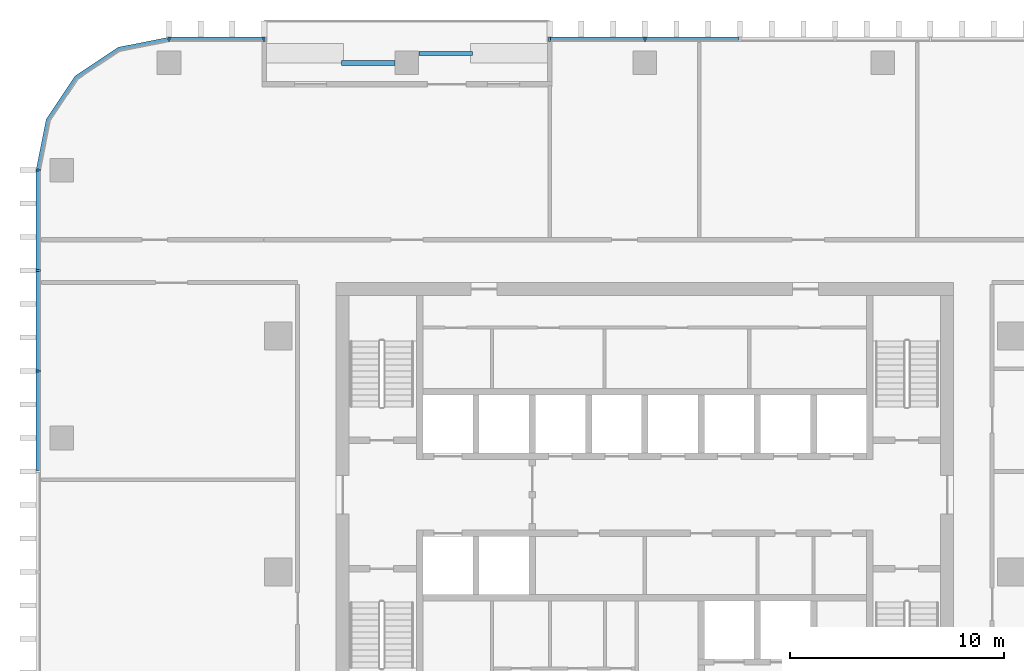
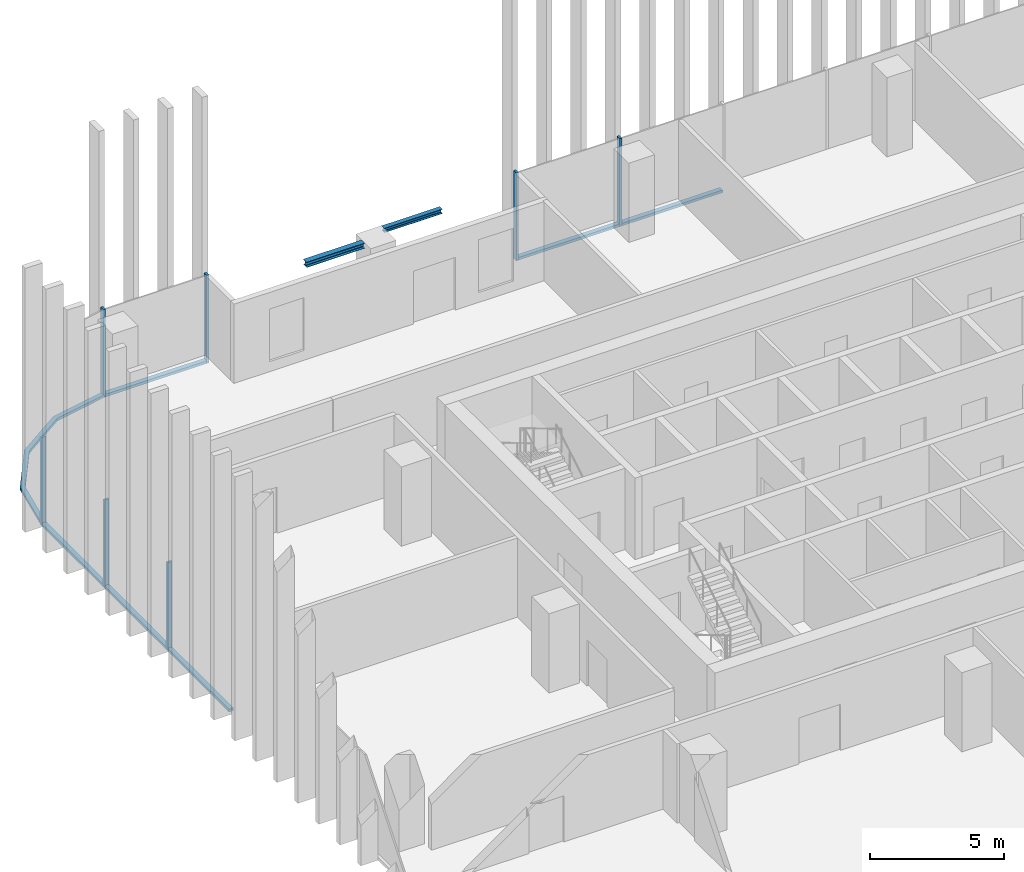
# One storey, part 4 of 15: 14 members, 2 beams, 4 elements without a shape of their own.
"""IFC4 building model written with IfcOpenShell, lengths in metres."""

from ifc_helpers import new_model, si_unit, direction, frame, origin, origin_2d, place, context, subcontext, project, spatial, polyline, rectangle, i_section, outline, extrude, material, material_profile, profile_set, type_object, element, aggregate, save


model = new_model("IFC4")

# Units and contexts
model_context = context("Model", 3, precision=1e-05, world=origin(), true_north=direction((0.0, 1.0)))
body_context = subcontext(model_context, "Body", "Model", "MODEL_VIEW")
ifc_project = project(units=[si_unit("LENGTHUNIT", "METRE"), si_unit("AREAUNIT", "SQUARE_METRE"), si_unit("VOLUMEUNIT", "CUBIC_METRE"), si_unit("PLANEANGLEUNIT", "RADIAN"), si_unit("MASSUNIT", "GRAM", prefix="KILO")], contexts=[model_context])

# Site, building, storey
site_placement = place(None, origin())
site = spatial("IfcSite", under=ifc_project, at=site_placement, CompositionType="ELEMENT")
building_placement = place(site_placement, origin())
building = spatial("IfcBuilding", under=site, at=building_placement, Name="Mopane Tessera Tower", CompositionType="ELEMENT")
storey_placement = place(building_placement, frame((0.0, 0.0, 211.0)))
storey = spatial("IfcBuildingStorey", under=building, at=storey_placement, Name="L44", CompositionType="ELEMENT", Elevation=211.0)

# Curtain wall, members
ifc_material_1 = material(Name="Aluminium frame", Category="aluminium")
curtain_wall_type = type_object("IfcCurtainWallType", Name="Unitised curtain wall", PredefinedType="NOTDEFINED", material=ifc_material_1)
curtain_wall_1_placement = place(storey_placement, origin())
curtain_wall_1 = element("IfcCurtainWall", 1, at=curtain_wall_1_placement, inside=storey, type_object=curtain_wall_type, Name="e:cw:L44:N:0", PredefinedType="NOTDEFINED")
ifc_material_2 = material(Name="Aluminium frame", Category="aluminium")
ifc_material_profile_1 = material_profile(ifc_material_2, rectangle(XDim=0.10009765625, YDim=0.199951171875, at=origin_2d()))
ifc_profile_set_1 = profile_set([ifc_material_profile_1], Name="Aluminium frame")
member_type_1 = type_object("IfcMemberType", Name="Aluminium mullion 100 x 200", PredefinedType="MULLION", material=ifc_profile_set_1)
member_1_placement = place(storey_placement, frame((0.0, 24.85009765625, -0.39990234375), z_axis=(0.0, 0.0, 1.0), x_axis=(-1.0, 0.0, 0.0)))
member_1 = element("IfcMember", 2, at=member_1_placement, type_object=member_type_1, Name="e:cw:L44:N:0:mu5", PredefinedType="MULLION", context=body_context, shape_type="SweptSolid", body=[
    extrude(rectangle(XDim=0.10009765625, YDim=0.199951171875, at=origin_2d()), origin(), (0.0, 0.0, 1.0), 4.0),
])
member_2_placement = place(storey_placement, frame((-4.43994140625, 24.85009765625, -0.39990234375), z_axis=(0.0, 0.0, 1.0), x_axis=(-1.0, 0.0, 0.0)))
member_2 = element("IfcMember", 3, at=member_2_placement, type_object=member_type_1, Name="e:cw:L44:N:0:mu6", PredefinedType="MULLION", context=body_context, shape_type="SweptSolid", body=[
    extrude(rectangle(XDim=0.10009765625, YDim=0.199951171875, at=origin_2d()), origin(), (0.0, 0.0, 1.0), 4.0),
])

curtain_wall_2_placement = place(storey_placement, origin())
curtain_wall_2 = element("IfcCurtainWall", 4, at=curtain_wall_2_placement, inside=storey, type_object=curtain_wall_type, Name="e:cw:L44:N:9", PredefinedType="NOTDEFINED")
member_3_placement = place(storey_placement, frame((-17.760009765625, 24.85009765625, -0.39990234375), z_axis=(0.0, 0.0, 1.0), x_axis=(-1.0, 0.0, 0.0)))
member_3 = element("IfcMember", 5, at=member_3_placement, type_object=member_type_1, Name="e:cw:L44:N:9:mu9", PredefinedType="MULLION", context=body_context, shape_type="SweptSolid", body=[
    extrude(rectangle(XDim=0.10009765625, YDim=0.199951171875, at=origin_2d()), origin(), (0.0, 0.0, 1.0), 4.0),
])
member_4_placement = place(storey_placement, frame((-22.199951171875, 24.85009765625, -0.39990234375), z_axis=(0.0, 0.0, 1.0), x_axis=(-1.0, 0.0, 0.0)))
member_4 = element("IfcMember", 6, at=member_4_placement, type_object=member_type_1, Name="e:cw:L44:N:9:mu10", PredefinedType="MULLION", context=body_context, shape_type="SweptSolid", body=[
    extrude(rectangle(XDim=0.10009765625, YDim=0.199951171875, at=origin_2d()), origin(), (0.0, 0.0, 1.0), 4.0),
])

curtain_wall_3_placement = place(storey_placement, origin())
curtain_wall_3 = element("IfcCurtainWall", 7, at=curtain_wall_3_placement, inside=storey, type_object=curtain_wall_type, Name="e:cw:L44:W:0", PredefinedType="NOTDEFINED")
member_5_placement = place(storey_placement, frame((-28.300048828125, 18.75, -0.39990234375), z_axis=(0.0, 0.0, 1.0), x_axis=(0.0, -1.0, 0.0)))
member_5 = element("IfcMember", 8, at=member_5_placement, type_object=member_type_1, Name="e:cw:L44:W:0:mu0", PredefinedType="MULLION", context=body_context, shape_type="SweptSolid", body=[
    extrude(rectangle(XDim=0.10009765625, YDim=0.199951171875, at=origin_2d()), origin(), (0.0, 0.0, 1.0), 4.0),
])
member_6_placement = place(storey_placement, frame((-28.300048828125, 14.0625, -0.39990234375), z_axis=(0.0, 0.0, 1.0), x_axis=(0.0, -1.0, 0.0)))
member_6 = element("IfcMember", 9, at=member_6_placement, type_object=member_type_1, Name="e:cw:L44:W:0:mu1", PredefinedType="MULLION", context=body_context, shape_type="SweptSolid", body=[
    extrude(rectangle(XDim=0.10009765625, YDim=0.199951171875, at=origin_2d()), origin(), (0.0, 0.0, 1.0), 4.0),
])
member_7_placement = place(storey_placement, frame((-28.300048828125, 9.375, -0.39990234375), z_axis=(0.0, 0.0, 1.0), x_axis=(0.0, -1.0, 0.0)))
member_7 = element("IfcMember", 10, at=member_7_placement, type_object=member_type_1, Name="e:cw:L44:W:0:mu2", PredefinedType="MULLION", context=body_context, shape_type="SweptSolid", body=[
    extrude(rectangle(XDim=0.10009765625, YDim=0.199951171875, at=origin_2d()), origin(), (0.0, 0.0, 1.0), 4.0),
])

# Member
ifc_material_3 = material(Name="Aluminium frame", Category="aluminium")
ifc_material_profile_2 = material_profile(ifc_material_3, rectangle(XDim=0.199951171875, YDim=0.1201171875, at=origin_2d()))
ifc_profile_set_2 = profile_set([ifc_material_profile_2], Name="Aluminium frame")
member_type_2 = type_object("IfcMemberType", Name="Aluminium transom 200 x 120", PredefinedType="USERDEFINED", material=ifc_profile_set_2)
member_8_placement = place(storey_placement, frame((4.389892578125, 24.85009765625, -0.340087890625), z_axis=(-1.0, 0.0, 0.0), x_axis=(0.0, -1.0, 0.0)))
member_8 = element("IfcMember", 11, at=member_8_placement, type_object=member_type_2, Name="e:cw:L44:N:0:tr4", ObjectType="TRANSOM", PredefinedType="USERDEFINED", context=body_context, shape_type="SweptSolid", body=[
    extrude(rectangle(XDim=0.199951171875, YDim=0.1201171875, at=origin_2d()), origin(), (0.0, 0.0, 1.0), 4.33984375),
])

member_9_placement = place(storey_placement, frame((-0.050048828125, 24.85009765625, -0.340087890625), z_axis=(-1.0, 0.0, 0.0), x_axis=(0.0, -1.0, 0.0)))
member_9 = element("IfcMember", 12, at=member_9_placement, type_object=member_type_2, Name="e:cw:L44:N:0:tr5", ObjectType="TRANSOM", PredefinedType="USERDEFINED", context=body_context, shape_type="SweptSolid", body=[
    extrude(rectangle(XDim=0.199951171875, YDim=0.1201171875, at=origin_2d()), origin(), (0.0, 0.0, 1.0), 4.33984375),
])

aggregate(curtain_wall_1, [member_1, member_2, member_8, member_9])

member_10_placement = place(storey_placement, frame((-17.81005859375, 24.85009765625, -0.340087890625), z_axis=(-1.0, 0.0, 0.0), x_axis=(0.0, -1.0, 0.0)))
member_10 = element("IfcMember", 13, at=member_10_placement, type_object=member_type_2, Name="e:cw:L44:N:9:tr9", ObjectType="TRANSOM", PredefinedType="USERDEFINED", context=body_context, shape_type="SweptSolid", body=[
    extrude(rectangle(XDim=0.199951171875, YDim=0.1201171875, at=origin_2d()), origin(), (0.0, 0.0, 1.0), 4.33984375),
])

aggregate(curtain_wall_2, [member_3, member_4, member_10])

# Curtain wall, member
curtain_wall_4_placement = place(storey_placement, origin())
curtain_wall_4 = element("IfcCurtainWall", 14, at=curtain_wall_4_placement, inside=storey, type_object=curtain_wall_type, Name="e:cw:L44:CN", PredefinedType="NOTDEFINED")
member_11_placement = place(storey_placement, frame((0.0, 0.0, -0.39990234375)))
member_11 = element("IfcMember", 15, at=member_11_placement, type_object=member_type_2, Name="e:cw:L44:CN:tr", ObjectType="TRANSOM", PredefinedType="USERDEFINED", context=body_context, shape_type="SweptSolid", body=[
    extrude(outline(polyline([(-22.199951171875, 24.75), (-24.49609375, 24.293212890625), (-26.442626953125, 22.99267578125), (-27.7431640625, 21.046142578125), (-28.199951171875, 18.75), (-28.39990234375, 18.75), (-27.927978515625, 21.12255859375), (-26.583984375, 23.134033203125), (-24.57275390625, 24.47802734375), (-22.199951171875, 24.949951171875), (-22.199951171875, 24.75)])), origin(), (0.0, 0.0, 1.0), 0.119873046875),
])
aggregate(curtain_wall_4, [member_11])

# Member
member_12_placement = place(storey_placement, frame((-28.300048828125, 18.699951171875, -0.340087890625), z_axis=(0.0, -1.0, 0.0), x_axis=(1.0, 0.0, 0.0)))
member_12 = element("IfcMember", 16, at=member_12_placement, type_object=member_type_2, Name="e:cw:L44:W:0:tr0", ObjectType="TRANSOM", PredefinedType="USERDEFINED", context=body_context, shape_type="SweptSolid", body=[
    extrude(rectangle(XDim=0.199951171875, YDim=0.1201171875, at=origin_2d()), origin(), (0.0, 0.0, 1.0), 4.58740234375),
])

member_13_placement = place(storey_placement, frame((-28.300048828125, 14.012451171875, -0.340087890625), z_axis=(0.0, -1.0, 0.0), x_axis=(1.0, 0.0, 0.0)))
member_13 = element("IfcMember", 17, at=member_13_placement, type_object=member_type_2, Name="e:cw:L44:W:0:tr1", ObjectType="TRANSOM", PredefinedType="USERDEFINED", context=body_context, shape_type="SweptSolid", body=[
    extrude(rectangle(XDim=0.199951171875, YDim=0.1201171875, at=origin_2d()), origin(), (0.0, 0.0, 1.0), 4.58740234375),
])

member_14_placement = place(storey_placement, frame((-28.300048828125, 9.324951171875, -0.340087890625), z_axis=(0.0, -1.0, 0.0), x_axis=(1.0, 0.0, 0.0)))
member_14 = element("IfcMember", 18, at=member_14_placement, type_object=member_type_2, Name="e:cw:L44:W:0:tr2", ObjectType="TRANSOM", PredefinedType="USERDEFINED", context=body_context, shape_type="SweptSolid", body=[
    extrude(rectangle(XDim=0.199951171875, YDim=0.1201171875, at=origin_2d()), origin(), (0.0, 0.0, 1.0), 4.58740234375),
])

aggregate(curtain_wall_3, [member_5, member_6, member_7, member_12, member_13, member_14])

# Beams
ifc_material_4 = material(Name="Structural steel S460", Category="steel")
ifc_material_profile_3 = material_profile(ifc_material_4, i_section(OverallWidth=0.239990234375, OverallDepth=0.239990234375, WebThickness=0.010009765625, FlangeThickness=0.01708984375, FilletRadius=0.02099609375, at=origin_2d()))
ifc_profile_set_3 = profile_set([ifc_material_profile_3], Name="Structural steel S460")
beam_type_1 = type_object("IfcBeamType", Name="Terrace spandrel beam HE 240 B", PredefinedType="SPANDREL", material=ifc_profile_set_3)
beam_1_placement = place(storey_placement, frame((-11.653076171875, 23.75, 3.47998046875), z_axis=(-1.0, 0.0, 0.0), x_axis=(0.0, -1.0, 0.0)))
element("IfcBeam", 19, at=beam_1_placement, inside=storey, type_object=beam_type_1, Name="Terrace spandrel beam N3 L45", PredefinedType="SPANDREL", context=body_context, shape_type="SweptSolid", body=[
    extrude(i_section(OverallWidth=0.239990234375, OverallDepth=0.239990234375, WebThickness=0.010009765625, FlangeThickness=0.01708984375, FilletRadius=0.02099609375, at=origin_2d()), origin(), (0.0, 0.0, 1.0), 2.5),
])
ifc_material_5 = material(Name="Structural steel S460", Category="steel")
ifc_material_profile_4 = material_profile(ifc_material_5, i_section(OverallWidth=0.199951171875, OverallDepth=0.199951171875, WebThickness=0.009033203125, FlangeThickness=0.014892578125, FilletRadius=0.01806640625, at=origin_2d()))
ifc_profile_set_4 = profile_set([ifc_material_profile_4], Name="Structural steel S460")
beam_type_2 = type_object("IfcBeamType", Name="Terrace trimmer beam HE 200 B", PredefinedType="BEAM", material=ifc_profile_set_4)
beam_2_placement = place(storey_placement, frame((-10.547119140625, 24.18994140625, 3.5), z_axis=(1.0, 0.0, 0.0), x_axis=(0.0, 1.0, 0.0)))
element("IfcBeam", 20, at=beam_2_placement, inside=storey, type_object=beam_type_2, Name="Terrace trimmer beam N3 L45", PredefinedType="BEAM", context=body_context, shape_type="SweptSolid", body=[
    extrude(i_section(OverallWidth=0.199951171875, OverallDepth=0.199951171875, WebThickness=0.009033203125, FlangeThickness=0.014892578125, FilletRadius=0.01806640625, at=origin_2d()), origin(), (0.0, 0.0, 1.0), 2.5),
])

save(model, "model.ifc")
